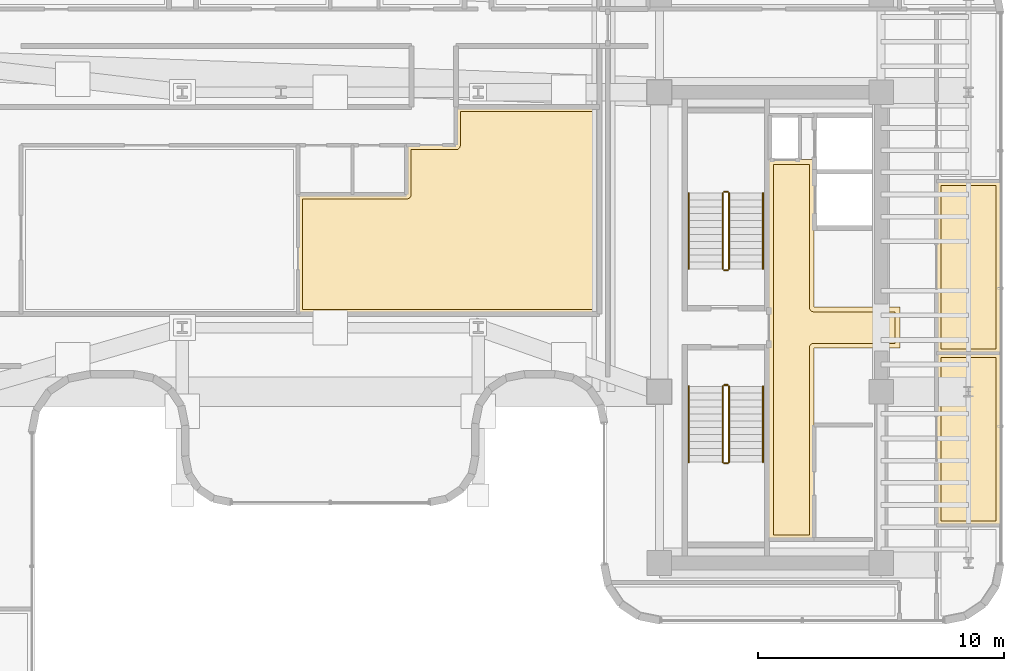
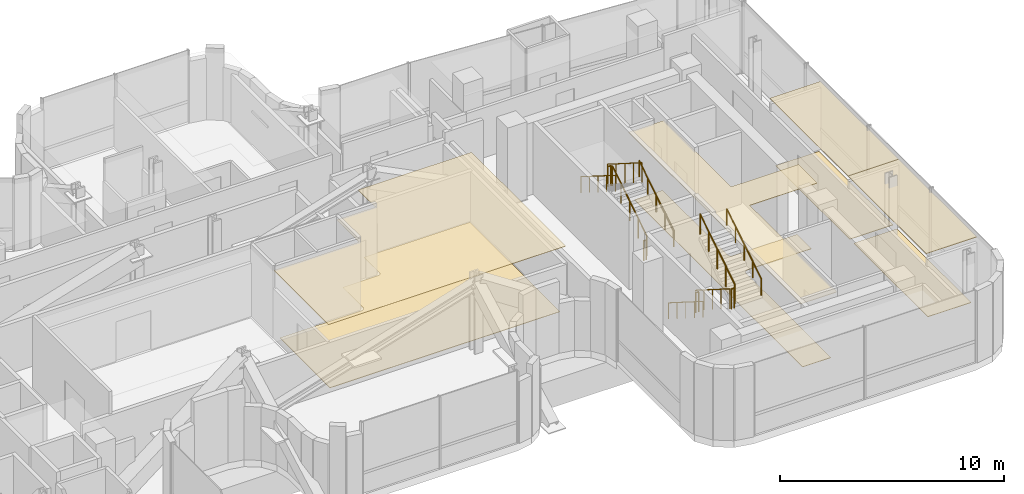
# One storey, part 35 of 37: 12 railings, 8 coverings.
"""IFC4 building model written with IfcOpenShell, lengths in metres."""

from ifc_helpers import new_model, si_unit, direction, frame, origin, origin_2d, place, context, subcontext, project, spatial, polyline, circle, outline, extrude, material, layer, layer_set, type_object, element, save


model = new_model("IFC4")

# Units and contexts
model_context = context("Model", 3, precision=1e-05, world=origin(), true_north=direction((0.0, 1.0)))
body_context = subcontext(model_context, "Body", "Model", "MODEL_VIEW")
ifc_project = project(units=[si_unit("LENGTHUNIT", "METRE"), si_unit("AREAUNIT", "SQUARE_METRE"), si_unit("VOLUMEUNIT", "CUBIC_METRE"), si_unit("PLANEANGLEUNIT", "RADIAN"), si_unit("MASSUNIT", "GRAM", prefix="KILO")], contexts=[model_context])

# Site, building, storey
site_placement = place(None, origin())
site = spatial("IfcSite", under=ifc_project, at=site_placement, CompositionType="ELEMENT")
building_placement = place(site_placement, origin())
building = spatial("IfcBuilding", under=site, at=building_placement, Name="Valdorenza Pilgrim Sanctuary Tower", CompositionType="ELEMENT")
storey_placement = place(building_placement, frame((0.0, 0.0, 172.300048828125)))
storey = spatial("IfcBuildingStorey", under=building, at=storey_placement, Name="L44", CompositionType="ELEMENT", Elevation=172.300048828125)

# Coverings
ifc_material_1 = material(Name="Micro-perforated acoustic mineral ceiling tile", Category="gypsum")
ifc_layer_1 = layer(ifc_material_1, 0.02490234375, Name="Micro-perforated acoustic mineral ceiling tile")
ifc_layer_set_1 = layer_set([ifc_layer_1], Name="Micro-perforated acoustic mineral ceiling tile")
covering_type_1 = type_object("IfcCoveringType", Name="COV-CLG-ACU", PredefinedType="CEILING", material=ifc_layer_set_1)
covering_1_placement = place(storey_placement, frame((0.0, 0.0, 3.6298828125)))
element("IfcCovering", 1, at=covering_1_placement, inside=storey, type_object=covering_type_1, Name="L44 Core B Passenger Lift Lobby Acoustic Ceiling", PredefinedType="CEILING", context=body_context, shape_type="SweptSolid", body=[
    extrude(outline(polyline([(20.287109375, -0.814697265625), (20.287109375, 0.814697265625), (20.28662109375, 0.815185546875), (20.2861328125, 0.81640625), (20.28564453125, 0.81787109375), (20.285400390625, 0.819091796875), (20.28515625, 0.820556640625), (20.284912109375, 0.822021484375), (20.284912109375, 6.800048828125), (20.28515625, 6.801513671875), (20.285400390625, 6.802978515625), (20.28564453125, 6.804443359375), (20.2861328125, 6.8056640625), (20.286865234375, 6.80712890625), (20.28759765625, 6.808349609375), (20.288330078125, 6.8095703125), (20.289306640625, 6.810546875), (20.29052734375, 6.8115234375), (20.291748046875, 6.8125), (20.29296875, 6.813232421875), (20.294189453125, 6.81396484375), (20.295654296875, 6.814453125), (20.297119140625, 6.814697265625), (20.298583984375, 6.81494140625), (20.300048828125, 6.81494140625), (20.347900390625, 6.81494140625), (20.349365234375, 6.81494140625), (20.350830078125, 6.814697265625), (20.352294921875, 6.814453125), (20.353515625, 6.81396484375), (20.35498046875, 6.813232421875), (20.35546875, 6.81298828125), (21.544677734375, 6.81298828125), (21.545166015625, 6.813232421875), (21.54638671875, 6.81396484375), (21.5478515625, 6.814453125), (21.54931640625, 6.814697265625), (21.550537109375, 6.81494140625), (21.552001953125, 6.81494140625), (22.1201171875, 6.81494140625), (22.12158203125, 6.81494140625), (22.122802734375, 6.814697265625), (22.12451171875, 6.814453125), (22.125732421875, 6.81396484375), (22.127197265625, 6.813232421875), (22.12841796875, 6.8125), (22.12939453125, 6.8115234375), (22.130615234375, 6.810546875), (22.131591796875, 6.8095703125), (22.132568359375, 6.808349609375), (22.13330078125, 6.80712890625), (22.1337890625, 6.8056640625), (22.134521484375, 6.804443359375), (22.134765625, 6.802978515625), (22.135009765625, 6.801513671875), (22.135009765625, 6.800048828125), (22.135009765625, 0.8349609375), (25.60009765625, 0.8349609375), (25.6015625, 0.8349609375), (25.602783203125, 0.834716796875), (25.6044921875, 0.83447265625), (25.605712890625, 0.833984375), (25.607177734375, 0.833251953125), (25.6083984375, 0.83251953125), (25.609619140625, 0.83154296875), (25.610595703125, 0.83056640625), (25.611572265625, 0.82958984375), (25.612548828125, 0.828369140625), (25.61328125, 0.8271484375), (25.614013671875, 0.82568359375), (25.614501953125, 0.824462890625), (25.61474609375, 0.822998046875), (25.614990234375, 0.821533203125), (25.614990234375, 0.820068359375), (25.614990234375, -0.820068359375), (25.614990234375, -0.821533203125), (25.61474609375, -0.822998046875), (25.614501953125, -0.824462890625), (25.614013671875, -0.82568359375), (25.61328125, -0.8271484375), (25.612548828125, -0.828369140625), (25.611572265625, -0.82958984375), (25.610595703125, -0.83056640625), (25.609619140625, -0.83154296875), (25.6083984375, -0.83251953125), (25.607177734375, -0.833251953125), (25.605712890625, -0.833984375), (25.6044921875, -0.83447265625), (25.602783203125, -0.834716796875), (25.6015625, -0.8349609375), (25.60009765625, -0.8349609375), (22.135009765625, -0.8349609375), (22.135009765625, -8.60009765625), (22.135009765625, -8.6015625), (22.134765625, -8.602783203125), (22.134521484375, -8.6044921875), (22.1337890625, -8.605712890625), (22.13330078125, -8.607177734375), (22.132568359375, -8.6083984375), (22.131591796875, -8.609619140625), (22.130615234375, -8.610595703125), (22.12939453125, -8.611572265625), (22.12841796875, -8.612548828125), (22.127197265625, -8.61328125), (22.125732421875, -8.614013671875), (22.12451171875, -8.614501953125), (22.122802734375, -8.61474609375), (22.12158203125, -8.614990234375), (22.1201171875, -8.614990234375), (20.300048828125, -8.614990234375), (20.298583984375, -8.614990234375), (20.297119140625, -8.61474609375), (20.295654296875, -8.614501953125), (20.294189453125, -8.614013671875), (20.29296875, -8.61328125), (20.291748046875, -8.612548828125), (20.29052734375, -8.611572265625), (20.289306640625, -8.610595703125), (20.288330078125, -8.609619140625), (20.28759765625, -8.6083984375), (20.286865234375, -8.607177734375), (20.2861328125, -8.605712890625), (20.28564453125, -8.6044921875), (20.285400390625, -8.602783203125), (20.28515625, -8.6015625), (20.284912109375, -8.60009765625), (20.284912109375, -0.822021484375), (20.28515625, -0.820556640625), (20.285400390625, -0.819091796875), (20.28564453125, -0.81787109375), (20.2861328125, -0.81640625), (20.28662109375, -0.815185546875), (20.287109375, -0.814697265625)])), origin(), (0.0, 0.0, 1.0), 0.025146484375),
])
covering_2_placement = place(storey_placement, frame((0.0, 0.0, 3.6298828125)))
element("IfcCovering", 2, at=covering_2_placement, inside=storey, type_object=covering_type_1, Name="L44 Sacred Archive Reading Library Acoustic Ceiling", PredefinedType="CEILING", context=body_context, shape_type="SweptSolid", body=[
    extrude(outline(polyline([(3.398193359375, 5.4130859375), (3.39892578125, 5.4130859375), (3.400390625, 5.413330078125), (3.402099609375, 5.4130859375), (3.403564453125, 5.4130859375), (3.40380859375, 5.4130859375), (5.5869140625, 5.4130859375), (5.5869140625, 7.39990234375), (5.587158203125, 7.401611328125), (5.58740234375, 7.40283203125), (5.587646484375, 7.404296875), (5.588134765625, 7.40576171875), (5.5888671875, 7.406982421875), (5.589599609375, 7.408203125), (5.59033203125, 7.409423828125), (5.59130859375, 7.41064453125), (5.592529296875, 7.41162109375), (5.59375, 7.41259765625), (5.594970703125, 7.4130859375), (5.59619140625, 7.413818359375), (5.59765625, 7.414306640625), (5.59912109375, 7.414794921875), (5.6005859375, 7.414794921875), (5.60205078125, 7.4150390625), (7.5849609375, 7.4150390625), (7.5849609375, 8.949951171875), (7.585205078125, 8.951416015625), (7.585205078125, 8.952880859375), (7.585693359375, 8.954345703125), (7.586181640625, 8.955810546875), (7.5869140625, 8.95703125), (7.58740234375, 8.958251953125), (7.58837890625, 8.95947265625), (7.58935546875, 8.960693359375), (7.590576171875, 8.961669921875), (7.591796875, 8.96240234375), (7.593017578125, 8.963134765625), (7.59423828125, 8.9638671875), (7.595703125, 8.96435546875), (7.59716796875, 8.964599609375), (7.598388671875, 8.96484375), (7.60009765625, 8.965087890625), (13.419921875, 8.965087890625), (13.42138671875, 8.96484375), (13.4228515625, 8.964599609375), (13.42431640625, 8.96435546875), (13.42578125, 8.9638671875), (13.427001953125, 8.963134765625), (13.42822265625, 8.96240234375), (13.429443359375, 8.961669921875), (13.4306640625, 8.960693359375), (13.431640625, 8.95947265625), (13.4326171875, 8.958251953125), (13.43310546875, 8.95703125), (13.433837890625, 8.955810546875), (13.434326171875, 8.954345703125), (13.434814453125, 8.952880859375), (13.434814453125, 8.951416015625), (13.43505859375, 8.949951171875), (13.43505859375, 0.550048828125), (13.434814453125, 0.548583984375), (13.434814453125, 0.547119140625), (13.434326171875, 0.545654296875), (13.433837890625, 0.544189453125), (13.43310546875, 0.54296875), (13.4326171875, 0.541748046875), (13.431640625, 0.54052734375), (13.4306640625, 0.539306640625), (13.429443359375, 0.538330078125), (13.42822265625, 0.53759765625), (13.427001953125, 0.536865234375), (13.42578125, 0.5361328125), (13.42431640625, 0.53564453125), (13.4228515625, 0.535400390625), (13.42138671875, 0.53515625), (13.419921875, 0.534912109375), (1.201904296875, 0.534912109375), (1.200439453125, 0.53515625), (1.19921875, 0.535400390625), (1.197509765625, 0.53564453125), (1.1962890625, 0.5361328125), (1.19482421875, 0.536865234375), (1.193603515625, 0.53759765625), (1.1923828125, 0.538330078125), (1.19140625, 0.539306640625), (1.1904296875, 0.54052734375), (1.189453125, 0.541748046875), (1.188720703125, 0.54296875), (1.18798828125, 0.544189453125), (1.1875, 0.545654296875), (1.187255859375, 0.547119140625), (1.18701171875, 0.548583984375), (1.18701171875, 0.550048828125), (1.18701171875, 5.39794921875), (1.18701171875, 5.3994140625), (1.187255859375, 5.40087890625), (1.1875, 5.40234375), (1.18798828125, 5.40380859375), (1.188720703125, 5.405029296875), (1.189453125, 5.40625), (1.1904296875, 5.407470703125), (1.19140625, 5.40869140625), (1.1923828125, 5.40966796875), (1.193603515625, 5.410400390625), (1.19482421875, 5.4111328125), (1.1962890625, 5.411865234375), (1.197509765625, 5.412353515625), (1.19921875, 5.41259765625), (1.200439453125, 5.412841796875), (1.201904296875, 5.4130859375), (3.398193359375, 5.4130859375)])), origin(), (0.0, 0.0, 1.0), 0.025146484375),
])
covering_3_placement = place(storey_placement, frame((0.0, 0.0, 3.6298828125)))
element("IfcCovering", 3, at=covering_3_placement, inside=storey, type_object=covering_type_1, Name="L44 East Reading Lounge L44-EB2 Acoustic Ceiling", PredefinedType="CEILING", context=body_context, shape_type="SweptSolid", body=[
    extrude(outline(polyline([(27.0849609375, -1.0400390625), (27.085205078125, -1.03857421875), (27.085205078125, -1.037109375), (27.085693359375, -1.03564453125), (27.086181640625, -1.0341796875), (27.0869140625, -1.032958984375), (27.08740234375, -1.03173828125), (27.08837890625, -1.030517578125), (27.08935546875, -1.029296875), (27.090576171875, -1.0283203125), (27.091796875, -1.027587890625), (27.093017578125, -1.02685546875), (27.09423828125, -1.026123046875), (27.095703125, -1.025634765625), (27.09716796875, -1.025390625), (27.098388671875, -1.025146484375), (27.10009765625, -1.02490234375), (29.68994140625, -1.02490234375), (29.69140625, -1.025146484375), (29.69287109375, -1.025390625), (29.6943359375, -1.025634765625), (29.69580078125, -1.026123046875), (29.697021484375, -1.02685546875), (29.6982421875, -1.027587890625), (29.699462890625, -1.0283203125), (29.70068359375, -1.029296875), (29.70166015625, -1.030517578125), (29.702392578125, -1.03173828125), (29.703125, -1.032958984375), (29.703857421875, -1.0341796875), (29.704345703125, -1.03564453125), (29.70458984375, -1.037109375), (29.704833984375, -1.03857421875), (29.705078125, -1.0400390625), (29.705078125, -8.01806640625), (29.704833984375, -8.01953125), (29.70458984375, -8.02099609375), (29.704345703125, -8.0224609375), (29.703857421875, -8.023681640625), (29.703125, -8.025146484375), (29.702392578125, -8.0263671875), (29.70166015625, -8.027587890625), (29.70068359375, -8.028564453125), (29.699462890625, -8.029541015625), (29.6982421875, -8.030517578125), (29.697021484375, -8.03125), (29.69580078125, -8.031982421875), (29.6943359375, -8.032470703125), (29.69287109375, -8.03271484375), (29.69140625, -8.032958984375), (29.68994140625, -8.032958984375), (27.10009765625, -8.032958984375), (27.098388671875, -8.032958984375), (27.09716796875, -8.03271484375), (27.095703125, -8.032470703125), (27.09423828125, -8.031982421875), (27.093017578125, -8.03125), (27.091796875, -8.030517578125), (27.090576171875, -8.029541015625), (27.08935546875, -8.028564453125), (27.08837890625, -8.027587890625), (27.08740234375, -8.0263671875), (27.0869140625, -8.025146484375), (27.086181640625, -8.023681640625), (27.085693359375, -8.0224609375), (27.085205078125, -8.02099609375), (27.085205078125, -8.01953125), (27.0849609375, -8.01806640625), (27.0849609375, -1.0400390625)])), origin(), (0.0, 0.0, 1.0), 0.025146484375),
])
covering_4_placement = place(storey_placement, frame((0.0, 0.0, 3.6298828125)))
element("IfcCovering", 4, at=covering_4_placement, inside=storey, type_object=covering_type_1, Name="L44 East Reading Lounge L44-EB3 Acoustic Ceiling", PredefinedType="CEILING", context=body_context, shape_type="SweptSolid", body=[
    extrude(outline(polyline([(27.0849609375, 5.93994140625), (27.085205078125, 5.94140625), (27.085205078125, 5.94287109375), (27.085693359375, 5.9443359375), (27.086181640625, 5.94580078125), (27.0869140625, 5.947021484375), (27.08740234375, 5.9482421875), (27.08837890625, 5.949462890625), (27.08935546875, 5.95068359375), (27.090576171875, 5.95166015625), (27.091796875, 5.952392578125), (27.093017578125, 5.953125), (27.09423828125, 5.953857421875), (27.095703125, 5.954345703125), (27.09716796875, 5.95458984375), (27.098388671875, 5.954833984375), (27.10009765625, 5.955078125), (29.68994140625, 5.955078125), (29.69140625, 5.954833984375), (29.69287109375, 5.95458984375), (29.6943359375, 5.954345703125), (29.69580078125, 5.953857421875), (29.697021484375, 5.953125), (29.6982421875, 5.952392578125), (29.699462890625, 5.95166015625), (29.70068359375, 5.95068359375), (29.70166015625, 5.949462890625), (29.702392578125, 5.9482421875), (29.703125, 5.947021484375), (29.703857421875, 5.94580078125), (29.704345703125, 5.9443359375), (29.70458984375, 5.94287109375), (29.704833984375, 5.94140625), (29.705078125, 5.93994140625), (29.705078125, -1.0380859375), (29.704833984375, -1.03955078125), (29.70458984375, -1.041015625), (29.704345703125, -1.04248046875), (29.703857421875, -1.043701171875), (29.703125, -1.045166015625), (29.702392578125, -1.04638671875), (29.70166015625, -1.047607421875), (29.70068359375, -1.048583984375), (29.699462890625, -1.049560546875), (29.6982421875, -1.050537109375), (29.697021484375, -1.05126953125), (29.69580078125, -1.052001953125), (29.6943359375, -1.052490234375), (29.69287109375, -1.052734375), (29.69140625, -1.052978515625), (29.68994140625, -1.052978515625), (27.10009765625, -1.052978515625), (27.098388671875, -1.052978515625), (27.09716796875, -1.052734375), (27.095703125, -1.052490234375), (27.09423828125, -1.052001953125), (27.093017578125, -1.05126953125), (27.091796875, -1.050537109375), (27.090576171875, -1.049560546875), (27.08935546875, -1.048583984375), (27.08837890625, -1.047607421875), (27.08740234375, -1.04638671875), (27.0869140625, -1.045166015625), (27.086181640625, -1.043701171875), (27.085693359375, -1.04248046875), (27.085205078125, -1.041015625), (27.085205078125, -1.03955078125), (27.0849609375, -1.0380859375), (27.0849609375, 5.93994140625)])), origin(), (0.0, 0.0, 1.0), 0.025146484375),
])
ifc_material_2 = material(Name="Honed travertine stone flooring", Category="masonry")
ifc_layer_2 = layer(ifc_material_2, 0.030029296875, Name="Honed travertine stone flooring")
ifc_layer_set_2 = layer_set([ifc_layer_2], Name="Honed travertine stone flooring")
covering_type_2 = type_object("IfcCoveringType", Name="COV-FLR-TRV", PredefinedType="FLOORING", material=ifc_layer_set_2)
covering_5_placement = place(storey_placement, origin())
element("IfcCovering", 5, at=covering_5_placement, inside=storey, type_object=covering_type_2, Name="L44 Core B Passenger Lift Lobby Flooring", PredefinedType="FLOORING", context=body_context, shape_type="SweptSolid", body=[
    extrude(outline(polyline([(20.47998046875, 6.617919921875), (21.550048828125, 6.617919921875), (21.550537109375, 6.617919921875), (21.93994140625, 6.619384765625), (21.93994140625, 0.820068359375), (21.94091796875, 0.802490234375), (21.943603515625, 0.784912109375), (21.94775390625, 0.767578125), (21.95361328125, 0.751220703125), (21.961181640625, 0.735107421875), (21.97021484375, 0.719970703125), (21.98095703125, 0.705810546875), (21.99267578125, 0.692626953125), (22.005859375, 0.680908203125), (22.02001953125, 0.67041015625), (22.03515625, 0.661376953125), (22.051025390625, 0.65380859375), (22.067626953125, 0.647705078125), (22.0849609375, 0.6435546875), (22.102294921875, 0.640869140625), (22.1201171875, 0.639892578125), (25.419921875, 0.639892578125), (25.419921875, -0.639892578125), (22.1201171875, -0.639892578125), (22.102294921875, -0.640869140625), (22.0849609375, -0.6435546875), (22.067626953125, -0.647705078125), (22.051025390625, -0.65380859375), (22.03515625, -0.661376953125), (22.02001953125, -0.67041015625), (22.005859375, -0.680908203125), (21.99267578125, -0.692626953125), (21.98095703125, -0.705810546875), (21.97021484375, -0.719970703125), (21.961181640625, -0.735107421875), (21.95361328125, -0.751220703125), (21.94775390625, -0.767578125), (21.943603515625, -0.784912109375), (21.94091796875, -0.802490234375), (21.93994140625, -0.820068359375), (21.93994140625, -8.419921875), (20.47998046875, -8.419921875), (20.47998046875, -0.846923828125), (20.47998046875, -0.8466796875), (20.47998046875, -0.8466796875), (20.481689453125, -0.8291015625), (20.481689453125, -0.828857421875), (20.48193359375, -0.820068359375), (20.48193359375, 0.820068359375), (20.47998046875, 6.617919921875)])), origin(), (0.0, 0.0, 1.0), 0.02490234375),
])
covering_6_placement = place(storey_placement, origin())
element("IfcCovering", 6, at=covering_6_placement, inside=storey, type_object=covering_type_2, Name="L44 Sacred Archive Reading Library Flooring", PredefinedType="FLOORING", context=body_context, shape_type="SweptSolid", body=[
    extrude(outline(polyline([(3.401611328125, 5.218017578125), (3.402099609375, 5.218017578125), (5.60009765625, 5.218017578125), (5.60888671875, 5.21826171875), (5.60888671875, 5.21826171875), (5.626708984375, 5.219970703125), (5.626708984375, 5.219970703125), (5.64404296875, 5.223388671875), (5.644287109375, 5.223388671875), (5.6611328125, 5.228515625), (5.661376953125, 5.228759765625), (5.677734375, 5.2353515625), (5.677978515625, 5.235595703125), (5.693603515625, 5.243896484375), (5.693603515625, 5.243896484375), (5.708251953125, 5.25390625), (5.70849609375, 5.25390625), (5.72216796875, 5.26513671875), (5.722412109375, 5.26513671875), (5.73486328125, 5.277587890625), (5.73486328125, 5.27783203125), (5.74609375, 5.29150390625), (5.74609375, 5.291748046875), (5.756103515625, 5.306396484375), (5.756103515625, 5.306396484375), (5.764404296875, 5.322021484375), (5.7646484375, 5.322265625), (5.771240234375, 5.338623046875), (5.771484375, 5.3388671875), (5.776611328125, 5.355712890625), (5.776611328125, 5.35595703125), (5.780029296875, 5.373291015625), (5.780029296875, 5.373291015625), (5.78173828125, 5.39111328125), (5.78173828125, 5.39111328125), (5.781982421875, 5.39990234375), (5.781982421875, 7.219970703125), (7.60009765625, 7.219970703125), (7.61767578125, 7.220947265625), (7.635009765625, 7.223388671875), (7.65234375, 7.227783203125), (7.6689453125, 7.233642578125), (7.684814453125, 7.2412109375), (7.699951171875, 7.250244140625), (7.714111328125, 7.260986328125), (7.727294921875, 7.272705078125), (7.739013671875, 7.285888671875), (7.749755859375, 7.300048828125), (7.7587890625, 7.315185546875), (7.766357421875, 7.3310546875), (7.772216796875, 7.34765625), (7.776611328125, 7.364990234375), (7.779052734375, 7.38232421875), (7.780029296875, 7.39990234375), (7.780029296875, 8.77001953125), (13.239990234375, 8.77001953125), (13.239990234375, 0.72998046875), (1.382080078125, 0.72998046875), (1.382080078125, 5.218017578125), (3.39990234375, 5.218017578125), (3.40087890625, 5.218017578125), (3.401611328125, 5.218017578125)])), origin(), (0.0, 0.0, 1.0), 0.02490234375),
])
covering_7_placement = place(storey_placement, origin())
element("IfcCovering", 7, at=covering_7_placement, inside=storey, type_object=covering_type_2, Name="L44 East Reading Lounge L44-EB2 Flooring", PredefinedType="FLOORING", context=body_context, shape_type="SweptSolid", body=[
    extrude(outline(polyline([(27.280029296875, -1.219970703125), (29.510009765625, -1.219970703125), (29.510009765625, -7.837890625), (27.280029296875, -7.837890625), (27.280029296875, -1.219970703125)])), origin(), (0.0, 0.0, 1.0), 0.02490234375),
])
covering_8_placement = place(storey_placement, origin())
element("IfcCovering", 8, at=covering_8_placement, inside=storey, type_object=covering_type_2, Name="L44 East Reading Lounge L44-EB3 Flooring", PredefinedType="FLOORING", context=body_context, shape_type="SweptSolid", body=[
    extrude(outline(polyline([(27.280029296875, 5.760009765625), (29.510009765625, 5.760009765625), (29.510009765625, -0.85791015625), (27.280029296875, -0.85791015625), (27.280029296875, 5.760009765625)])), origin(), (0.0, 0.0, 1.0), 0.02490234375),
])

# Railings
ifc_material_3 = material(Name="Stainless steel Grade 316", Category="steel")
railing_type_1 = type_object("IfcRailingType", Name="RLG-GRD-1120", PredefinedType="GUARDRAIL", material=ifc_material_3)
railing_1_placement = place(storey_placement, frame((18.679931640625, 2.3798828125, 0.177001953125)))
element("IfcRailing", 9, at=railing_1_placement, inside=storey, type_object=railing_type_1, Name="L44 ST-B1 stair guard 1", PredefinedType="GUARDRAIL", context=body_context, shape_type="SweptSolid", body=[
    extrude(circle(Radius=0.02392578125, at=origin_2d()), frame((0.0, 0.0, 1.076171875), z_axis=(0.0, 0.845156040024, 0.534519661014), x_axis=(-1.0, 0.0, 0.0)), (0.0, 0.0, 1.0), 3.644287109375),
    extrude(circle(Radius=0.02099609375, at=origin_2d()), origin(), (0.0, 0.0, 1.0), 1.052001953125),
    extrude(circle(Radius=0.02099609375, at=origin_2d()), frame((0.0, 0.77001953125, 0.487060546875)), (0.0, 0.0, 1.0), 1.052001953125),
    extrude(circle(Radius=0.02099609375, at=origin_2d()), frame((0.0, 1.5400390625, 0.97412109375)), (0.0, 0.0, 1.0), 1.052001953125),
    extrude(circle(Radius=0.02099609375, at=origin_2d()), frame((0.0, 2.31005859375, 1.4609375)), (0.0, 0.0, 1.0), 1.052001953125),
    extrude(circle(Radius=0.02099609375, at=origin_2d()), frame((0.0, 3.080078125, 1.947998046875)), (0.0, 0.0, 1.0), 1.052001953125),
])
railing_2_placement = place(storey_placement, frame((18.6298828125, 5.510009765625, 2.125)))
element("IfcRailing", 10, at=railing_2_placement, inside=storey, type_object=railing_type_1, Name="L44 ST-B1 stair guard 2", PredefinedType="GUARDRAIL", context=body_context, shape_type="SweptSolid", body=[
    extrude(circle(Radius=0.02392578125, at=origin_2d()), frame((0.0, 0.0, 1.076171875), z_axis=(-1.0, 0.0, 0.0), x_axis=(0.0, -1.0, 0.0)), (0.0, 0.0, 1.0), 0.14990234375),
    extrude(circle(Radius=0.02099609375, at=origin_2d()), origin(), (0.0, 0.0, 1.0), 1.052001953125),
    extrude(circle(Radius=0.02099609375, at=origin_2d()), frame((-0.14990234375, 0.0, 0.0)), (0.0, 0.0, 1.0), 1.052001953125),
])
railing_3_placement = place(storey_placement, frame((18.429931640625, 5.4599609375, 2.302001953125)))
element("IfcRailing", 11, at=railing_3_placement, inside=storey, type_object=railing_type_1, Name="L44 ST-B1 stair guard 3", PredefinedType="GUARDRAIL", context=body_context, shape_type="SweptSolid", body=[
    extrude(circle(Radius=0.02392578125, at=origin_2d()), frame((0.0, 0.0, 1.076171875), z_axis=(0.0, -0.845156040024, 0.534519661014), x_axis=(1.0, 0.0, 0.0)), (0.0, 0.0, 1.0), 3.644287109375),
    extrude(circle(Radius=0.02099609375, at=origin_2d()), origin(), (0.0, 0.0, 1.0), 1.052001953125),
    extrude(circle(Radius=0.02099609375, at=origin_2d()), frame((0.0, -0.77001953125, 0.487060546875)), (0.0, 0.0, 1.0), 1.052001953125),
    extrude(circle(Radius=0.02099609375, at=origin_2d()), frame((0.0, -1.5400390625, 0.97412109375)), (0.0, 0.0, 1.0), 1.052001953125),
    extrude(circle(Radius=0.02099609375, at=origin_2d()), frame((0.0, -2.31005859375, 1.4609375)), (0.0, 0.0, 1.0), 1.052001953125),
    extrude(circle(Radius=0.02099609375, at=origin_2d()), frame((0.0, -3.080078125, 1.947998046875)), (0.0, 0.0, 1.0), 1.052001953125),
])
railing_4_placement = place(storey_placement, frame((18.6298828125, 2.330078125, 0.0)))
element("IfcRailing", 12, at=railing_4_placement, inside=storey, type_object=railing_type_1, Name="L44 ST-B1 stair guard 4", PredefinedType="GUARDRAIL", context=body_context, shape_type="SweptSolid", body=[
    extrude(circle(Radius=0.02392578125, at=origin_2d()), frame((0.0, 0.0, 1.076171875), z_axis=(-1.0, 0.0, 0.0), x_axis=(0.0, -1.0, 0.0)), (0.0, 0.0, 1.0), 0.14990234375),
    extrude(circle(Radius=0.02099609375, at=origin_2d()), origin(), (0.0, 0.0, 1.0), 1.052001953125),
    extrude(circle(Radius=0.02099609375, at=origin_2d()), frame((-0.14990234375, 0.0, 0.0)), (0.0, 0.0, 1.0), 1.052001953125),
])
railing_5_placement = place(storey_placement, frame((18.429931640625, -2.3798828125, 0.177001953125)))
element("IfcRailing", 13, at=railing_5_placement, inside=storey, type_object=railing_type_1, Name="L44 ST-B2 stair guard 1", PredefinedType="GUARDRAIL", context=body_context, shape_type="SweptSolid", body=[
    extrude(circle(Radius=0.02392578125, at=origin_2d()), frame((0.0, 0.0, 1.076171875), z_axis=(0.0, -0.845156040024, 0.534519661014), x_axis=(1.0, 0.0, 0.0)), (0.0, 0.0, 1.0), 3.644287109375),
    extrude(circle(Radius=0.02099609375, at=origin_2d()), origin(), (0.0, 0.0, 1.0), 1.052001953125),
    extrude(circle(Radius=0.02099609375, at=origin_2d()), frame((0.0, -0.77001953125, 0.487060546875)), (0.0, 0.0, 1.0), 1.052001953125),
    extrude(circle(Radius=0.02099609375, at=origin_2d()), frame((0.0, -1.5400390625, 0.97412109375)), (0.0, 0.0, 1.0), 1.052001953125),
    extrude(circle(Radius=0.02099609375, at=origin_2d()), frame((0.0, -2.31005859375, 1.4609375)), (0.0, 0.0, 1.0), 1.052001953125),
    extrude(circle(Radius=0.02099609375, at=origin_2d()), frame((0.0, -3.080078125, 1.947998046875)), (0.0, 0.0, 1.0), 1.052001953125),
])
railing_6_placement = place(storey_placement, frame((18.47998046875, -5.510009765625, 2.125)))
element("IfcRailing", 14, at=railing_6_placement, inside=storey, type_object=railing_type_1, Name="L44 ST-B2 stair guard 2", PredefinedType="GUARDRAIL", context=body_context, shape_type="SweptSolid", body=[
    extrude(circle(Radius=0.02392578125, at=origin_2d()), frame((0.0, 0.0, 1.076171875), z_axis=(1.0, 0.0, 0.0), x_axis=(0.0, 1.0, 0.0)), (0.0, 0.0, 1.0), 0.14990234375),
    extrude(circle(Radius=0.02099609375, at=origin_2d()), origin(), (0.0, 0.0, 1.0), 1.052001953125),
    extrude(circle(Radius=0.02099609375, at=origin_2d()), frame((0.14990234375, 0.0, 0.0)), (0.0, 0.0, 1.0), 1.052001953125),
])
railing_7_placement = place(storey_placement, frame((18.679931640625, -5.4599609375, 2.302001953125)))
element("IfcRailing", 15, at=railing_7_placement, inside=storey, type_object=railing_type_1, Name="L44 ST-B2 stair guard 3", PredefinedType="GUARDRAIL", context=body_context, shape_type="SweptSolid", body=[
    extrude(circle(Radius=0.02392578125, at=origin_2d()), frame((0.0, 0.0, 1.076171875), z_axis=(0.0, 0.845156040024, 0.534519661014), x_axis=(-1.0, 0.0, 0.0)), (0.0, 0.0, 1.0), 3.644287109375),
    extrude(circle(Radius=0.02099609375, at=origin_2d()), origin(), (0.0, 0.0, 1.0), 1.052001953125),
    extrude(circle(Radius=0.02099609375, at=origin_2d()), frame((0.0, 0.77001953125, 0.487060546875)), (0.0, 0.0, 1.0), 1.052001953125),
    extrude(circle(Radius=0.02099609375, at=origin_2d()), frame((0.0, 1.5400390625, 0.97412109375)), (0.0, 0.0, 1.0), 1.052001953125),
    extrude(circle(Radius=0.02099609375, at=origin_2d()), frame((0.0, 2.31005859375, 1.4609375)), (0.0, 0.0, 1.0), 1.052001953125),
    extrude(circle(Radius=0.02099609375, at=origin_2d()), frame((0.0, 3.080078125, 1.947998046875)), (0.0, 0.0, 1.0), 1.052001953125),
])
railing_8_placement = place(storey_placement, frame((18.47998046875, -2.330078125, 0.0)))
element("IfcRailing", 16, at=railing_8_placement, inside=storey, type_object=railing_type_1, Name="L44 ST-B2 stair guard 4", PredefinedType="GUARDRAIL", context=body_context, shape_type="SweptSolid", body=[
    extrude(circle(Radius=0.02392578125, at=origin_2d()), frame((0.0, 0.0, 1.076171875), z_axis=(1.0, 0.0, 0.0), x_axis=(0.0, 1.0, 0.0)), (0.0, 0.0, 1.0), 0.14990234375),
    extrude(circle(Radius=0.02099609375, at=origin_2d()), origin(), (0.0, 0.0, 1.0), 1.052001953125),
    extrude(circle(Radius=0.02099609375, at=origin_2d()), frame((0.14990234375, 0.0, 0.0)), (0.0, 0.0, 1.0), 1.052001953125),
])
ifc_material_4 = material(Name="Brushed stainless steel Grade 316", Category="steel")
railing_type_2 = type_object("IfcRailingType", Name="RLG-HND-920", PredefinedType="HANDRAIL", material=ifc_material_4)
railing_9_placement = place(storey_placement, frame((20.06005859375, 2.3798828125, 0.177001953125)))
element("IfcRailing", 17, at=railing_9_placement, inside=storey, type_object=railing_type_2, Name="L44 ST-B1 stair handrail 1", PredefinedType="HANDRAIL", context=body_context, shape_type="SweptSolid", body=[
    extrude(circle(Radius=0.02392578125, at=origin_2d()), frame((0.0, 0.0, 0.8759765625), z_axis=(0.0, 0.845156040024, 0.534519661014), x_axis=(-1.0, 0.0, 0.0)), (0.0, 0.0, 1.0), 3.644287109375),
    extrude(circle(Radius=0.02099609375, at=origin_2d()), origin(), (0.0, 0.0, 1.0), 0.851806640625),
    extrude(circle(Radius=0.02099609375, at=origin_2d()), frame((0.0, 0.77001953125, 0.487060546875)), (0.0, 0.0, 1.0), 0.851806640625),
    extrude(circle(Radius=0.02099609375, at=origin_2d()), frame((0.0, 1.5400390625, 0.97412109375)), (0.0, 0.0, 1.0), 0.851806640625),
    extrude(circle(Radius=0.02099609375, at=origin_2d()), frame((0.0, 2.31005859375, 1.4609375)), (0.0, 0.0, 1.0), 0.851806640625),
    extrude(circle(Radius=0.02099609375, at=origin_2d()), frame((0.0, 3.080078125, 1.947998046875)), (0.0, 0.0, 1.0), 0.851806640625),
])
for number, where, name in (
    (18, (17.050048828125, 5.4599609375, 2.302001953125), "L44 ST-B1 stair handrail 2"),
    (19, (17.050048828125, -2.3798828125, 0.177001953125), "L44 ST-B2 stair handrail 1"),
):
    element("IfcRailing", number, at=place(storey_placement, frame(where)), inside=storey, type_object=railing_type_2, Name=name, PredefinedType="HANDRAIL", context=body_context, shape_type="SweptSolid", body=[
        extrude(circle(Radius=0.02392578125, at=origin_2d()), frame((0.0, 0.0, 0.8759765625), z_axis=(0.0, -0.845156040024, 0.534519661014), x_axis=(1.0, 0.0, 0.0)), (0.0, 0.0, 1.0), 3.644287109375),
        extrude(circle(Radius=0.02099609375, at=origin_2d()), origin(), (0.0, 0.0, 1.0), 0.851806640625),
        extrude(circle(Radius=0.02099609375, at=origin_2d()), frame((0.0, -0.77001953125, 0.487060546875)), (0.0, 0.0, 1.0), 0.851806640625),
        extrude(circle(Radius=0.02099609375, at=origin_2d()), frame((0.0, -1.5400390625, 0.97412109375)), (0.0, 0.0, 1.0), 0.851806640625),
        extrude(circle(Radius=0.02099609375, at=origin_2d()), frame((0.0, -2.31005859375, 1.4609375)), (0.0, 0.0, 1.0), 0.851806640625),
        extrude(circle(Radius=0.02099609375, at=origin_2d()), frame((0.0, -3.080078125, 1.947998046875)), (0.0, 0.0, 1.0), 0.851806640625),
    ])
railing_10_placement = place(storey_placement, frame((20.06005859375, -5.4599609375, 2.302001953125)))
element("IfcRailing", 20, at=railing_10_placement, inside=storey, type_object=railing_type_2, Name="L44 ST-B2 stair handrail 2", PredefinedType="HANDRAIL", context=body_context, shape_type="SweptSolid", body=[
    extrude(circle(Radius=0.02392578125, at=origin_2d()), frame((0.0, 0.0, 0.8759765625), z_axis=(0.0, 0.845156040024, 0.534519661014), x_axis=(-1.0, 0.0, 0.0)), (0.0, 0.0, 1.0), 3.644287109375),
    extrude(circle(Radius=0.02099609375, at=origin_2d()), origin(), (0.0, 0.0, 1.0), 0.851806640625),
    extrude(circle(Radius=0.02099609375, at=origin_2d()), frame((0.0, 0.77001953125, 0.487060546875)), (0.0, 0.0, 1.0), 0.851806640625),
    extrude(circle(Radius=0.02099609375, at=origin_2d()), frame((0.0, 1.5400390625, 0.97412109375)), (0.0, 0.0, 1.0), 0.851806640625),
    extrude(circle(Radius=0.02099609375, at=origin_2d()), frame((0.0, 2.31005859375, 1.4609375)), (0.0, 0.0, 1.0), 0.851806640625),
    extrude(circle(Radius=0.02099609375, at=origin_2d()), frame((0.0, 3.080078125, 1.947998046875)), (0.0, 0.0, 1.0), 0.851806640625),
])

save(model, "model.ifc")
